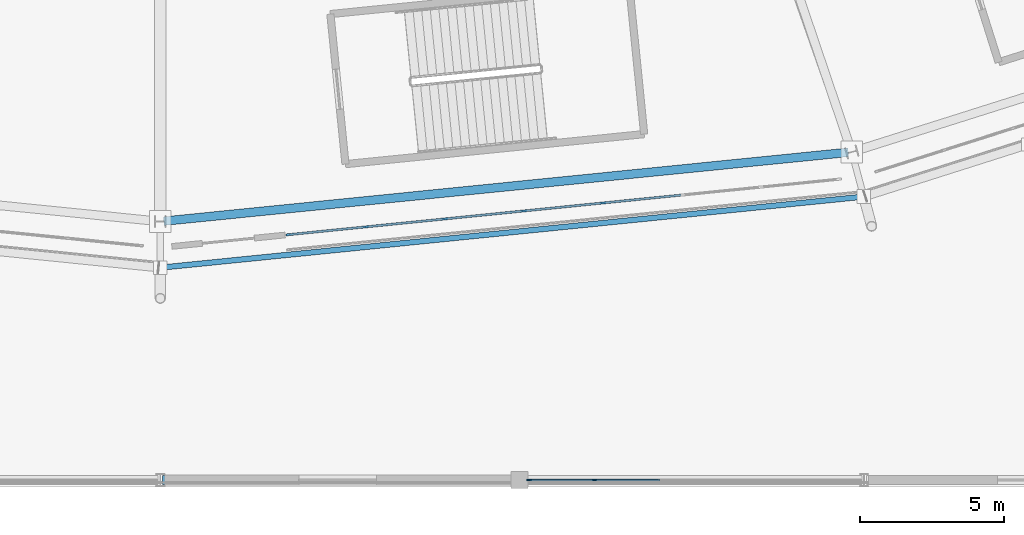
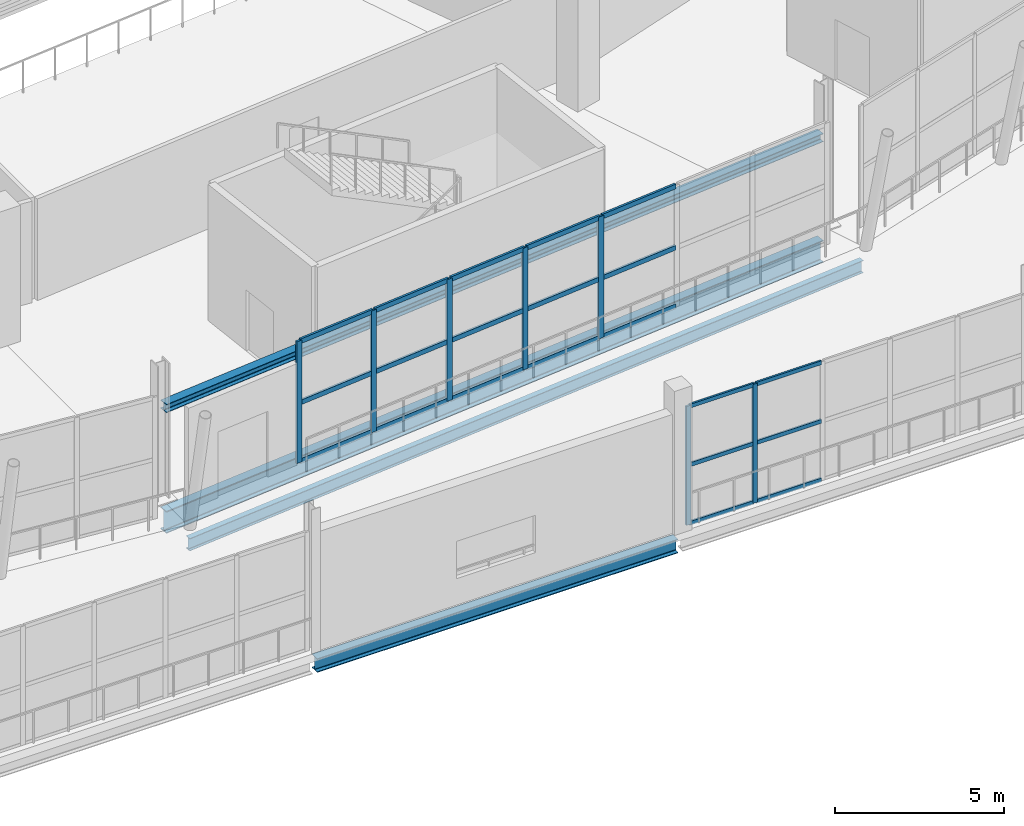
# One storey, part 37 of 178: 28 members, 4 beams, 2 elements without a shape of their own.
"""IFC4 building model written with IfcOpenShell, lengths in metres."""

from ifc_helpers import new_model, si_unit, direction, frame, origin, origin_2d, place, context, subcontext, project, spatial, rectangle, i_section, extrude, material, material_profile, profile_set, type_object, element, aggregate, save


model = new_model("IFC4")

# Units and contexts
model_context = context("Model", 3, precision=1e-05, world=origin(), true_north=direction((0.0, 1.0)))
body_context = subcontext(model_context, "Body", "Model", "MODEL_VIEW")
ifc_project = project(units=[si_unit("LENGTHUNIT", "METRE"), si_unit("AREAUNIT", "SQUARE_METRE"), si_unit("VOLUMEUNIT", "CUBIC_METRE"), si_unit("PLANEANGLEUNIT", "RADIAN"), si_unit("MASSUNIT", "GRAM", prefix="KILO")], contexts=[model_context])

# Site, building, storey
site_placement = place(None, origin())
site = spatial("IfcSite", under=ifc_project, at=site_placement, CompositionType="ELEMENT")
building_placement = place(site_placement, origin())
building = spatial("IfcBuilding", under=site, at=building_placement, Name="Zlatoyarsky Gate Stadium", CompositionType="ELEMENT")
storey_placement = place(building_placement, frame((0.0, 0.0, 5.39990234375)))
storey = spatial("IfcBuildingStorey", under=building, at=storey_placement, Name="L01", CompositionType="ELEMENT", Elevation=5.39990234375)

# Curtain wall, members
ifc_material_1 = material(Name="Thermally broken anodised aluminium curtain wall", Category="aluminium")
curtain_wall_type_1 = type_object("IfcCurtainWallType", Name="MONUMENTAL ARCHED GATE GLAZING LOWER", PredefinedType="USERDEFINED", material=ifc_material_1)
curtain_wall_1_placement = place(storey_placement, origin())
curtain_wall_1 = element("IfcCurtainWall", 1, at=curtain_wall_1_placement, inside=storey, type_object=curtain_wall_type_1, Name="Curtain wall CW-L01-18", ObjectType="ARCHED GATE GLAZING", PredefinedType="USERDEFINED")
ifc_material_2 = material(Name="Anodised aluminium 6063-T6", Category="aluminium")
ifc_material_profile_1 = material_profile(ifc_material_2, rectangle(XDim=0.074951171875, YDim=0.18994140625, at=origin_2d()), Name="ALU 75X190")
ifc_profile_set_1 = profile_set([ifc_material_profile_1], Name="Anodised aluminium 6063-T6")
member_type_1 = type_object("IfcMemberType", Name="ALUMINIUM GATE MULLION 75X190", PredefinedType="MULLION", material=ifc_profile_set_1)
member_1_placement = place(storey_placement, frame((115.46484375, 8.54150390625, 0.0), z_axis=(0.0, 0.0, 1.0), x_axis=(-0.100302795257, 0.994956958498, 0.0)))
member_1 = element("IfcMember", 2, at=member_1_placement, type_object=member_type_1, Name="CW-AG1 mullion 1", PredefinedType="MULLION", context=body_context, shape_type="SweptSolid", body=[
    extrude(rectangle(XDim=0.074951171875, YDim=0.18994140625, at=origin_2d()), origin(), (0.0, 0.0, 1.0), 4.400146484375),
])
member_2_placement = place(storey_placement, frame((118.1748046875, 8.814697265625, 0.0), z_axis=(0.0, 0.0, 1.0), x_axis=(-0.100302795257, 0.994956958498, 0.0)))
member_2 = element("IfcMember", 3, at=member_2_placement, type_object=member_type_1, Name="CW-AG1 mullion 2", PredefinedType="MULLION", context=body_context, shape_type="SweptSolid", body=[
    extrude(rectangle(XDim=0.074951171875, YDim=0.18994140625, at=origin_2d()), origin(), (0.0, 0.0, 1.0), 4.400146484375),
])
member_3_placement = place(storey_placement, frame((120.922119140625, 9.091796875, 0.0), z_axis=(0.0, 0.0, 1.0), x_axis=(-0.100302795257, 0.994956958498, 0.0)))
member_3 = element("IfcMember", 4, at=member_3_placement, type_object=member_type_1, Name="CW-AG1 mullion 3", PredefinedType="MULLION", context=body_context, shape_type="SweptSolid", body=[
    extrude(rectangle(XDim=0.074951171875, YDim=0.18994140625, at=origin_2d()), origin(), (0.0, 0.0, 1.0), 4.400146484375),
])
member_4_placement = place(storey_placement, frame((123.66943359375, 9.36865234375, 0.0), z_axis=(0.0, 0.0, 1.0), x_axis=(-0.100302795257, 0.994956958498, 0.0)))
member_4 = element("IfcMember", 5, at=member_4_placement, type_object=member_type_1, Name="CW-AG1 mullion 4", PredefinedType="MULLION", context=body_context, shape_type="SweptSolid", body=[
    extrude(rectangle(XDim=0.074951171875, YDim=0.18994140625, at=origin_2d()), origin(), (0.0, 0.0, 1.0), 4.400146484375),
])
member_5_placement = place(storey_placement, frame((126.416748046875, 9.6455078125, 0.0), z_axis=(0.0, 0.0, 1.0), x_axis=(-0.100302795257, 0.994956958498, 0.0)))
member_5 = element("IfcMember", 6, at=member_5_placement, type_object=member_type_1, Name="CW-AG1 mullion 5", PredefinedType="MULLION", context=body_context, shape_type="SweptSolid", body=[
    extrude(rectangle(XDim=0.074951171875, YDim=0.18994140625, at=origin_2d()), origin(), (0.0, 0.0, 1.0), 4.400146484375),
])
ifc_material_profile_2 = material_profile(ifc_material_2, rectangle(XDim=0.074951171875, YDim=0.169921875, at=origin_2d()), Name="ALU 75X170")
ifc_profile_set_2 = profile_set([ifc_material_profile_2], Name="Anodised aluminium 6063-T6")
member_type_2 = type_object("IfcMemberType", Name="ALUMINIUM GATE TRANSOM 75X170", PredefinedType="USERDEFINED", material=ifc_profile_set_2)
member_6_placement = place(storey_placement, frame((115.502197265625, 8.54541015625, 0.03759765625), z_axis=(0.994959320295, 0.100279364565, 0.0), x_axis=(-0.100279364565, 0.994959320295, 0.0)))
member_6 = element("IfcMember", 7, at=member_6_placement, type_object=member_type_2, Name="CW-AG1 transom 1.1", ObjectType="TRANSOM", PredefinedType="USERDEFINED", context=body_context, shape_type="SweptSolid", body=[
    extrude(rectangle(XDim=0.074951171875, YDim=0.169921875, at=origin_2d()), origin(), (0.0, 0.0, 1.0), 2.64892578125),
])
member_7_placement = place(storey_placement, frame((115.502197265625, 8.54541015625, 2.150146484375), z_axis=(0.994959320295, 0.100279364565, 0.0), x_axis=(-0.100279364565, 0.994959320295, 0.0)))
member_7 = element("IfcMember", 8, at=member_7_placement, type_object=member_type_2, Name="CW-AG1 transom 1.2", ObjectType="TRANSOM", PredefinedType="USERDEFINED", context=body_context, shape_type="SweptSolid", body=[
    extrude(rectangle(XDim=0.074951171875, YDim=0.169921875, at=origin_2d()), origin(), (0.0, 0.0, 1.0), 2.64892578125),
])
member_8_placement = place(storey_placement, frame((115.502197265625, 8.54541015625, 4.362548828125), z_axis=(0.994959320295, 0.100279364565, 0.0), x_axis=(-0.100279364565, 0.994959320295, 0.0)))
member_8 = element("IfcMember", 9, at=member_8_placement, type_object=member_type_2, Name="CW-AG1 transom 1.3", ObjectType="TRANSOM", PredefinedType="USERDEFINED", context=body_context, shape_type="SweptSolid", body=[
    extrude(rectangle(XDim=0.074951171875, YDim=0.169921875, at=origin_2d()), origin(), (0.0, 0.0, 1.0), 2.64892578125),
])
member_9_placement = place(storey_placement, frame((118.212158203125, 8.818603515625, 0.03759765625), z_axis=(0.994962218896, 0.100250600844, 0.0), x_axis=(-0.100250600844, 0.994962218896, 0.0)))
member_9 = element("IfcMember", 10, at=member_9_placement, type_object=member_type_2, Name="CW-AG1 transom 2.1", ObjectType="TRANSOM", PredefinedType="USERDEFINED", context=body_context, shape_type="SweptSolid", body=[
    extrude(rectangle(XDim=0.074951171875, YDim=0.169921875, at=origin_2d()), origin(), (0.0, 0.0, 1.0), 2.68603515625),
])
member_10_placement = place(storey_placement, frame((118.212158203125, 8.818603515625, 2.150146484375), z_axis=(0.994962218896, 0.100250600844, 0.0), x_axis=(-0.100250600844, 0.994962218896, 0.0)))
member_10 = element("IfcMember", 11, at=member_10_placement, type_object=member_type_2, Name="CW-AG1 transom 2.2", ObjectType="TRANSOM", PredefinedType="USERDEFINED", context=body_context, shape_type="SweptSolid", body=[
    extrude(rectangle(XDim=0.074951171875, YDim=0.169921875, at=origin_2d()), origin(), (0.0, 0.0, 1.0), 2.68603515625),
])
member_11_placement = place(storey_placement, frame((118.212158203125, 8.818603515625, 4.362548828125), z_axis=(0.994962218896, 0.100250600844, 0.0), x_axis=(-0.100250600844, 0.994962218896, 0.0)))
member_11 = element("IfcMember", 12, at=member_11_placement, type_object=member_type_2, Name="CW-AG1 transom 2.3", ObjectType="TRANSOM", PredefinedType="USERDEFINED", context=body_context, shape_type="SweptSolid", body=[
    extrude(rectangle(XDim=0.074951171875, YDim=0.169921875, at=origin_2d()), origin(), (0.0, 0.0, 1.0), 2.68603515625),
])
member_12_placement = place(storey_placement, frame((120.95947265625, 9.095458984375, 0.03759765625), z_axis=(0.994953149133, 0.100340575193, 0.0), x_axis=(-0.100340575193, 0.994953149133, 0.0)))
member_12 = element("IfcMember", 13, at=member_12_placement, type_object=member_type_2, Name="CW-AG1 transom 3.1", ObjectType="TRANSOM", PredefinedType="USERDEFINED", context=body_context, shape_type="SweptSolid", body=[
    extrude(rectangle(XDim=0.074951171875, YDim=0.169921875, at=origin_2d()), origin(), (0.0, 0.0, 1.0), 2.686279296875),
])
member_13_placement = place(storey_placement, frame((120.95947265625, 9.095458984375, 2.150146484375), z_axis=(0.994953149133, 0.100340575193, 0.0), x_axis=(-0.100340575193, 0.994953149133, 0.0)))
member_13 = element("IfcMember", 14, at=member_13_placement, type_object=member_type_2, Name="CW-AG1 transom 3.2", ObjectType="TRANSOM", PredefinedType="USERDEFINED", context=body_context, shape_type="SweptSolid", body=[
    extrude(rectangle(XDim=0.074951171875, YDim=0.169921875, at=origin_2d()), origin(), (0.0, 0.0, 1.0), 2.686279296875),
])
member_14_placement = place(storey_placement, frame((120.95947265625, 9.095458984375, 4.362548828125), z_axis=(0.994953149133, 0.100340575193, 0.0), x_axis=(-0.100340575193, 0.994953149133, 0.0)))
member_14 = element("IfcMember", 15, at=member_14_placement, type_object=member_type_2, Name="CW-AG1 transom 3.3", ObjectType="TRANSOM", PredefinedType="USERDEFINED", context=body_context, shape_type="SweptSolid", body=[
    extrude(rectangle(XDim=0.074951171875, YDim=0.169921875, at=origin_2d()), origin(), (0.0, 0.0, 1.0), 2.686279296875),
])
member_15_placement = place(storey_placement, frame((123.706787109375, 9.372314453125, 0.03759765625), z_axis=(0.994953149133, 0.100340575193, 0.0), x_axis=(-0.100340575193, 0.994953149133, 0.0)))
member_15 = element("IfcMember", 16, at=member_15_placement, type_object=member_type_2, Name="CW-AG1 transom 4.1", ObjectType="TRANSOM", PredefinedType="USERDEFINED", context=body_context, shape_type="SweptSolid", body=[
    extrude(rectangle(XDim=0.074951171875, YDim=0.169921875, at=origin_2d()), origin(), (0.0, 0.0, 1.0), 2.686279296875),
])
member_16_placement = place(storey_placement, frame((123.706787109375, 9.372314453125, 2.150146484375), z_axis=(0.994953149133, 0.100340575193, 0.0), x_axis=(-0.100340575193, 0.994953149133, 0.0)))
member_16 = element("IfcMember", 17, at=member_16_placement, type_object=member_type_2, Name="CW-AG1 transom 4.2", ObjectType="TRANSOM", PredefinedType="USERDEFINED", context=body_context, shape_type="SweptSolid", body=[
    extrude(rectangle(XDim=0.074951171875, YDim=0.169921875, at=origin_2d()), origin(), (0.0, 0.0, 1.0), 2.686279296875),
])
member_17_placement = place(storey_placement, frame((123.706787109375, 9.372314453125, 4.362548828125), z_axis=(0.994953149133, 0.100340575193, 0.0), x_axis=(-0.100340575193, 0.994953149133, 0.0)))
member_17 = element("IfcMember", 18, at=member_17_placement, type_object=member_type_2, Name="CW-AG1 transom 4.3", ObjectType="TRANSOM", PredefinedType="USERDEFINED", context=body_context, shape_type="SweptSolid", body=[
    extrude(rectangle(XDim=0.074951171875, YDim=0.169921875, at=origin_2d()), origin(), (0.0, 0.0, 1.0), 2.686279296875),
])
member_18_placement = place(storey_placement, frame((126.4541015625, 9.6494140625, 0.03759765625), z_axis=(0.994953149133, 0.100340575193, 0.0), x_axis=(-0.100340575193, 0.994953149133, 0.0)))
member_18 = element("IfcMember", 19, at=member_18_placement, type_object=member_type_2, Name="CW-AG1 transom 5.1", ObjectType="TRANSOM", PredefinedType="USERDEFINED", context=body_context, shape_type="SweptSolid", body=[
    extrude(rectangle(XDim=0.074951171875, YDim=0.169921875, at=origin_2d()), origin(), (0.0, 0.0, 1.0), 2.686279296875),
])
member_19_placement = place(storey_placement, frame((126.4541015625, 9.6494140625, 2.150146484375), z_axis=(0.994953149133, 0.100340575193, 0.0), x_axis=(-0.100340575193, 0.994953149133, 0.0)))
member_19 = element("IfcMember", 20, at=member_19_placement, type_object=member_type_2, Name="CW-AG1 transom 5.2", ObjectType="TRANSOM", PredefinedType="USERDEFINED", context=body_context, shape_type="SweptSolid", body=[
    extrude(rectangle(XDim=0.074951171875, YDim=0.169921875, at=origin_2d()), origin(), (0.0, 0.0, 1.0), 2.686279296875),
])
member_20_placement = place(storey_placement, frame((126.4541015625, 9.6494140625, 4.362548828125), z_axis=(0.994953149133, 0.100340575193, 0.0), x_axis=(-0.100340575193, 0.994953149133, 0.0)))
member_20 = element("IfcMember", 21, at=member_20_placement, type_object=member_type_2, Name="CW-AG1 transom 5.3", ObjectType="TRANSOM", PredefinedType="USERDEFINED", context=body_context, shape_type="SweptSolid", body=[
    extrude(rectangle(XDim=0.074951171875, YDim=0.169921875, at=origin_2d()), origin(), (0.0, 0.0, 1.0), 2.686279296875),
])
aggregate(curtain_wall_1, [member_1, member_2, member_3, member_4, member_5, member_6, member_7, member_8, member_9, member_10, member_11, member_12, member_13, member_14, member_15, member_16, member_17, member_18, member_19, member_20])

curtain_wall_type_2 = type_object("IfcCurtainWallType", Name="WINTER GARDEN CONSERVATORY GLAZING", PredefinedType="USERDEFINED", material=ifc_material_1)
curtain_wall_2_placement = place(storey_placement, origin())
curtain_wall_2 = element("IfcCurtainWall", 22, at=curtain_wall_2_placement, inside=storey, type_object=curtain_wall_type_2, Name="Curtain wall CW-V3_SOUTH-L01-159", ObjectType="UNITISED GLAZING", PredefinedType="USERDEFINED")
ifc_material_profile_3 = material_profile(ifc_material_2, rectangle(XDim=0.06494140625, YDim=0.159912109375, at=origin_2d()), Name="ALU 65X160")
ifc_profile_set_3 = profile_set([ifc_material_profile_3], Name="Anodised aluminium 6063-T6")
member_type_3 = type_object("IfcMemberType", Name="ALUMINIUM MULLION 65X160", PredefinedType="MULLION", material=ifc_profile_set_3)
member_21_placement = place(storey_placement, frame((123.844482421875, 0.0, 0.0), z_axis=(0.0, 0.0, 1.0), x_axis=(0.0, 1.0, 0.0)))
member_21 = element("IfcMember", 23, at=member_21_placement, type_object=member_type_3, Name="CW-WG1 mullion 1", PredefinedType="MULLION", context=body_context, shape_type="SweptSolid", body=[
    extrude(rectangle(XDim=0.06494140625, YDim=0.159912109375, at=origin_2d()), origin(), (0.0, 0.0, 1.0), 4.300048828125),
])
member_22_placement = place(storey_placement, frame((126.1171875, 0.0, 0.0), z_axis=(0.0, 0.0, 1.0), x_axis=(0.0, 1.0, 0.0)))
member_22 = element("IfcMember", 24, at=member_22_placement, type_object=member_type_3, Name="CW-WG1 mullion 2", PredefinedType="MULLION", context=body_context, shape_type="SweptSolid", body=[
    extrude(rectangle(XDim=0.06494140625, YDim=0.159912109375, at=origin_2d()), origin(), (0.0, 0.0, 1.0), 4.300048828125),
])
ifc_material_profile_4 = material_profile(ifc_material_2, rectangle(XDim=0.06494140625, YDim=0.139892578125, at=origin_2d()), Name="ALU 65X140")
ifc_profile_set_4 = profile_set([ifc_material_profile_4], Name="Anodised aluminium 6063-T6")
member_type_4 = type_object("IfcMemberType", Name="ALUMINIUM TRANSOM 65X140", PredefinedType="USERDEFINED", material=ifc_profile_set_4)
member_23_placement = place(storey_placement, frame((123.876953125, 0.0, 0.03271484375), z_axis=(1.0, 0.0, 0.0), x_axis=(0.0, 1.0, 0.0)))
member_23 = element("IfcMember", 25, at=member_23_placement, type_object=member_type_4, Name="CW-WG1 transom 1.1", ObjectType="TRANSOM", PredefinedType="USERDEFINED", context=body_context, shape_type="SweptSolid", body=[
    extrude(rectangle(XDim=0.06494140625, YDim=0.139892578125, at=origin_2d()), origin(), (0.0, 0.0, 1.0), 2.207763671875),
])
member_24_placement = place(storey_placement, frame((123.876953125, 0.0, 2.150146484375), z_axis=(1.0, 0.0, 0.0), x_axis=(0.0, 1.0, 0.0)))
member_24 = element("IfcMember", 26, at=member_24_placement, type_object=member_type_4, Name="CW-WG1 transom 1.2", ObjectType="TRANSOM", PredefinedType="USERDEFINED", context=body_context, shape_type="SweptSolid", body=[
    extrude(rectangle(XDim=0.06494140625, YDim=0.139892578125, at=origin_2d()), origin(), (0.0, 0.0, 1.0), 2.207763671875),
])
member_25_placement = place(storey_placement, frame((123.876953125, 0.0, 4.267578125), z_axis=(1.0, 0.0, 0.0), x_axis=(0.0, 1.0, 0.0)))
member_25 = element("IfcMember", 27, at=member_25_placement, type_object=member_type_4, Name="CW-WG1 transom 1.3", ObjectType="TRANSOM", PredefinedType="USERDEFINED", context=body_context, shape_type="SweptSolid", body=[
    extrude(rectangle(XDim=0.06494140625, YDim=0.139892578125, at=origin_2d()), origin(), (0.0, 0.0, 1.0), 2.207763671875),
])
member_26_placement = place(storey_placement, frame((126.149658203125, 0.0, 0.03271484375), z_axis=(1.0, 0.0, 0.0), x_axis=(0.0, 1.0, 0.0)))
member_26 = element("IfcMember", 28, at=member_26_placement, type_object=member_type_4, Name="CW-WG1 transom 2.1", ObjectType="TRANSOM", PredefinedType="USERDEFINED", context=body_context, shape_type="SweptSolid", body=[
    extrude(rectangle(XDim=0.06494140625, YDim=0.139892578125, at=origin_2d()), origin(), (0.0, 0.0, 1.0), 2.240234375),
])
member_27_placement = place(storey_placement, frame((126.149658203125, 0.0, 2.150146484375), z_axis=(1.0, 0.0, 0.0), x_axis=(0.0, 1.0, 0.0)))
member_27 = element("IfcMember", 29, at=member_27_placement, type_object=member_type_4, Name="CW-WG1 transom 2.2", ObjectType="TRANSOM", PredefinedType="USERDEFINED", context=body_context, shape_type="SweptSolid", body=[
    extrude(rectangle(XDim=0.06494140625, YDim=0.139892578125, at=origin_2d()), origin(), (0.0, 0.0, 1.0), 2.240234375),
])
member_28_placement = place(storey_placement, frame((126.149658203125, 0.0, 4.267578125), z_axis=(1.0, 0.0, 0.0), x_axis=(0.0, 1.0, 0.0)))
member_28 = element("IfcMember", 30, at=member_28_placement, type_object=member_type_4, Name="CW-WG1 transom 2.3", ObjectType="TRANSOM", PredefinedType="USERDEFINED", context=body_context, shape_type="SweptSolid", body=[
    extrude(rectangle(XDim=0.06494140625, YDim=0.139892578125, at=origin_2d()), origin(), (0.0, 0.0, 1.0), 2.240234375),
])
aggregate(curtain_wall_2, [member_21, member_22, member_23, member_24, member_25, member_26, member_27, member_28])

# Beams
ifc_material_3 = material(Name="Steel S355", Category="steel")
ifc_material_profile_5 = material_profile(ifc_material_3, i_section(OverallWidth=0.18994140625, OverallDepth=0.449951171875, WebThickness=0.009521484375, FlangeThickness=0.0146484375, FilletRadius=0.02099609375, at=origin_2d()), Name="IPE 450")
ifc_profile_set_5 = profile_set([ifc_material_profile_5], Name="Steel S355")
beam_type_1 = type_object("IfcBeamType", Name="STEEL EDGE SPANDREL IPE 450", PredefinedType="SPANDREL", material=ifc_profile_set_5)
beam_1_placement = place(storey_placement, frame((111.02001953125, 7.3935546875, -0.684814453125), z_axis=(0.994934649728, 0.100523841803, 0.0), x_axis=(-0.100523841803, 0.994934649728, 0.0)))
element("IfcBeam", 31, at=beam_1_placement, inside=storey, type_object=beam_type_1, Name="Beam SP-IPE450 BM-L01-SPD-18", PredefinedType="SPANDREL", context=body_context, shape_type="SweptSolid", body=[
    extrude(i_section(OverallWidth=0.18994140625, OverallDepth=0.449951171875, WebThickness=0.009521484375, FlangeThickness=0.0146484375, FilletRadius=0.02099609375, at=origin_2d()), origin(), (0.0, 0.0, 1.0), 24.571044921875),
])
ifc_material_profile_6 = material_profile(ifc_material_3, i_section(OverallWidth=0.300048828125, OverallDepth=0.300048828125, WebThickness=0.010986328125, FlangeThickness=0.01904296875, FilletRadius=0.027099609375, at=origin_2d()), Name="HEB 300")
ifc_profile_set_6 = profile_set([ifc_material_profile_6], Name="Steel S355")
beam_type_2 = type_object("IfcBeamType", Name="STEEL GATE LINTEL HEB 300", PredefinedType="LINTEL", material=ifc_profile_set_6)
beam_2_placement = place(storey_placement, frame((111.119384765625, 9.011962890625, 3.25), z_axis=(0.994986905268, 0.100005291586, 0.0), x_axis=(-0.100005291586, 0.994986905268, 0.0)))
element("IfcBeam", 32, at=beam_2_placement, inside=storey, type_object=beam_type_2, Name="Beam LN-HEB300 BM-L01-LNT-18", PredefinedType="LINTEL", context=body_context, shape_type="SweptSolid", body=[
    extrude(i_section(OverallWidth=0.300048828125, OverallDepth=0.300048828125, WebThickness=0.010986328125, FlangeThickness=0.01904296875, FilletRadius=0.027099609375, at=origin_2d()), origin(), (0.0, 0.0, 1.0), 23.951416015625),
])
ifc_material_profile_7 = material_profile(ifc_material_3, i_section(OverallWidth=0.300048828125, OverallDepth=0.5, WebThickness=0.014404296875, FlangeThickness=0.028076171875, FilletRadius=0.027099609375, at=origin_2d()), Name="HEB 500")
ifc_profile_set_7 = profile_set([ifc_material_profile_7], Name="Steel S355")
beam_type_3 = type_object("IfcBeamType", Name="STEEL PRIMARY GIRDER HEB 500", PredefinedType="BEAM", material=ifc_profile_set_7)
beam_3_placement = place(storey_placement, frame((111.080078125, 0.0, -0.5498046875), z_axis=(1.0, 0.0, 0.0), x_axis=(0.0, 1.0, 0.0)))
element("IfcBeam", 33, at=beam_3_placement, inside=storey, type_object=beam_type_3, Name="Beam G-HEB500 BM-L01-WGX-10-A", PredefinedType="BEAM", context=body_context, shape_type="SweptSolid", body=[
    extrude(i_section(OverallWidth=0.300048828125, OverallDepth=0.5, WebThickness=0.014404296875, FlangeThickness=0.028076171875, FilletRadius=0.027099609375, at=origin_2d()), origin(), (0.0, 0.0, 1.0), 12.33984375),
])
ifc_material_profile_8 = material_profile(ifc_material_3, i_section(OverallWidth=0.300048828125, OverallDepth=0.800048828125, WebThickness=0.017578125, FlangeThickness=0.032958984375, FilletRadius=0.030029296875, at=origin_2d()), Name="HEB 800")
ifc_profile_set_8 = profile_set([ifc_material_profile_8], Name="Steel S355")
beam_type_4 = type_object("IfcBeamType", Name="STEEL PRIMARY GIRDER HEB 800", PredefinedType="BEAM", material=ifc_profile_set_8)
beam_4_placement = place(storey_placement, frame((111.119384765625, 9.011962890625, -0.85986328125), z_axis=(0.994986905268, 0.100005291586, 0.0), x_axis=(-0.100005291586, 0.994986905268, 0.0)))
element("IfcBeam", 34, at=beam_4_placement, inside=storey, type_object=beam_type_4, Name="Beam G-HEB800 BM-L01-CRC-18", PredefinedType="BEAM", context=body_context, shape_type="SweptSolid", body=[
    extrude(i_section(OverallWidth=0.300048828125, OverallDepth=0.800048828125, WebThickness=0.017578125, FlangeThickness=0.032958984375, FilletRadius=0.030029296875, at=origin_2d()), origin(), (0.0, 0.0, 1.0), 23.951416015625),
])

save(model, "model.ifc")
